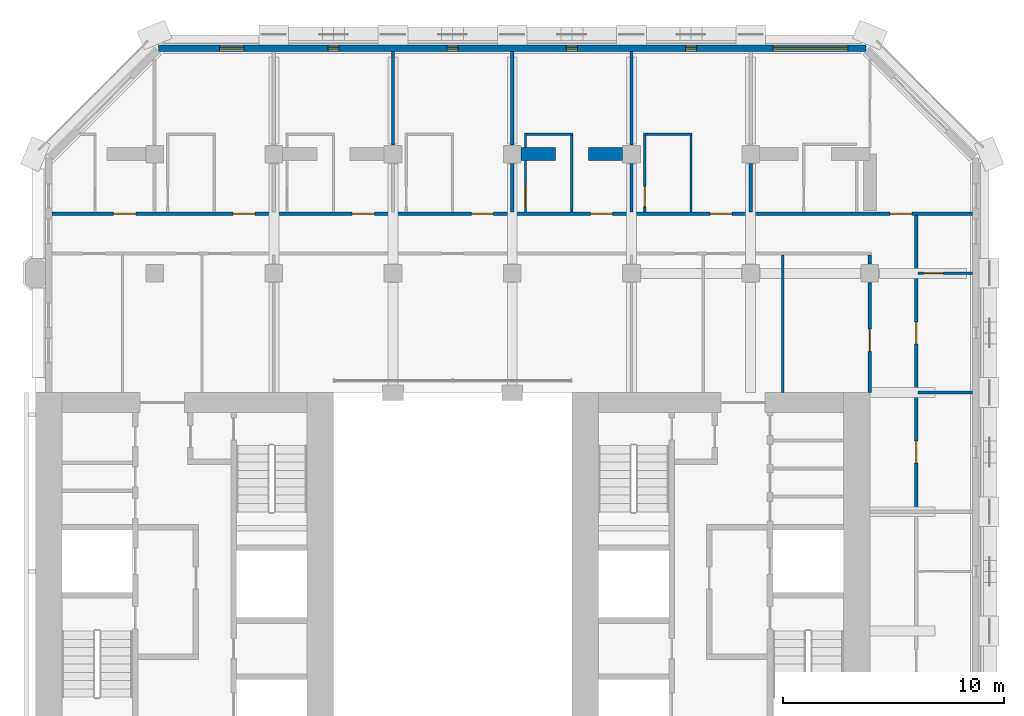
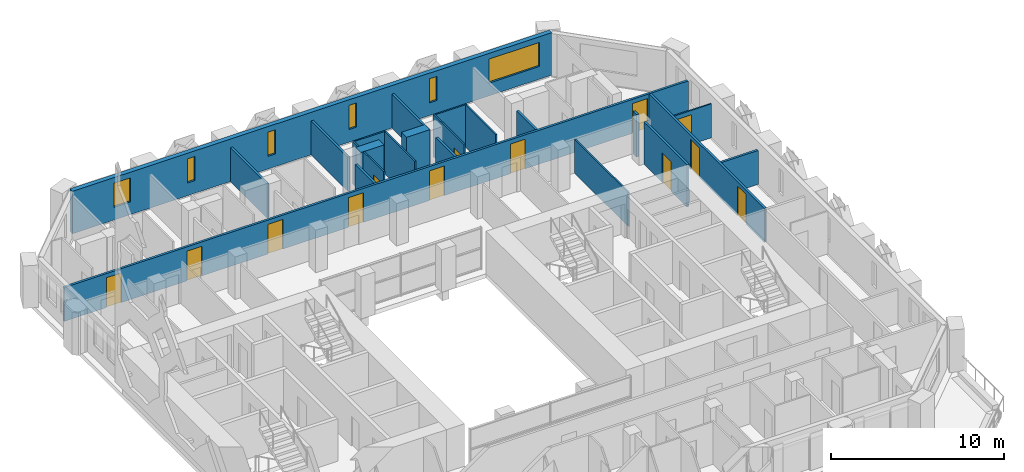
# One storey, part 13 of 17: 23 walls, 13 doors, 6 windows, 19 openings.
"""IFC4 building model written with IfcOpenShell, lengths in metres."""

from ifc_helpers import new_model, si_unit, direction, frame, frame_2d, origin, place, context, subcontext, project, spatial, rectangle, extrude, material, layer, layer_set, type_object, element, fill, save


model = new_model("IFC4")

# Units and contexts
model_context = context("Model", 3, precision=1e-05, world=origin(), true_north=direction((0.0, 1.0)))
body_context = subcontext(model_context, "Body", "Model", "MODEL_VIEW")
ifc_project = project(units=[si_unit("LENGTHUNIT", "METRE"), si_unit("AREAUNIT", "SQUARE_METRE"), si_unit("VOLUMEUNIT", "CUBIC_METRE"), si_unit("PLANEANGLEUNIT", "RADIAN"), si_unit("MASSUNIT", "GRAM", prefix="KILO")], contexts=[model_context])

# Site, building, storey
site_placement = place(None, origin())
site = spatial("IfcSite", under=ifc_project, at=site_placement, CompositionType="ELEMENT")
building_placement = place(site_placement, origin())
building = spatial("IfcBuilding", under=site, at=building_placement, Name="Tabaq Tower and Sports Hall", CompositionType="ELEMENT")
storey_placement = place(building_placement, frame((0.0, 0.0, 180.699951171875)))
storey = spatial("IfcBuildingStorey", under=building, at=storey_placement, Name="L43", CompositionType="ELEMENT", Elevation=180.699951171875)

# Wall, opening, door
ifc_material_1 = material(Name="Gypsum board on steel studs", Category="steel")
ifc_layer_1 = layer(ifc_material_1, 0.10009765625)
ifc_layer_set_1 = layer_set([ifc_layer_1], Name="Partition 100 Gypsum board")
wall_type_1 = type_object("IfcWallType", Name="Partition 100 Gypsum board", PredefinedType="PARTITIONING", material=ifc_layer_set_1)
wall_1_placement = place(storey_placement, frame((47.84912109375, 37.800048828125, 0.0), z_axis=(0.0, 0.0, 1.0), x_axis=(-1.0, 0.0, 0.0)))
wall_1 = element("IfcWall", 1, at=wall_1_placement, inside=storey, type_object=wall_type_1, Name="Partition wall L43", PredefinedType="PARTITIONING", context=body_context, shape_type="SweptSolid", body=[
    extrude(rectangle(XDim=2.47412109375, YDim=0.10009765625, at=frame_2d((1.237060546875, 0.0))), origin(), (0.0, 0.0, 1.0), 2.400146484375),
])
opening_1_placement = place(wall_1_placement, frame((1.323974609375, 0.0, 0.0)))
opening_1 = element("IfcOpeningElement", 2, at=opening_1_placement, cuts=wall_1, Name="Opening L43-001", PredefinedType="OPENING", context=body_context, shape_type="SweptSolid", body=[
    extrude(rectangle(XDim=0.89990234375, YDim=2.10009765625, at=frame_2d((0.449951171875, 1.050048828125))), frame((0.0, 0.050048828125, 0.0), z_axis=(0.0, -1.0, 0.0), x_axis=(1.0, 0.0, 0.0)), (0.0, 0.0, 1.0), 0.10009765625),
])
ifc_material_2 = material(Name="Timber leaf in steel frame", Category="steel")
door_type_1 = type_object("IfcDoorType", Name="Internal door 900 left hand", OperationType="SINGLE_SWING_LEFT", PredefinedType="DOOR", material=ifc_material_2)
door_1_placement = place(opening_1_placement, origin())
door_1 = element("IfcDoor", 3, at=door_1_placement, inside=storey, type_object=door_type_1, Name="Internal door L43-001", OperationType="SINGLE_SWING_LEFT", OverallHeight=2.10009765625, OverallWidth=0.89990234375, PredefinedType="DOOR", context=body_context, shape_type="SweptSolid", body=[
    extrude(rectangle(XDim=0.89990234375, YDim=2.10009765625, at=frame_2d((0.449951171875, 1.050048828125))), frame((0.0, 0.02490234375, 0.0), z_axis=(0.0, -1.0, 0.0), x_axis=(1.0, 0.0, 0.0)), (0.0, 0.0, 1.0), 0.050048828125),
])
fill(opening_1, door_1)

wall_2_placement = place(storey_placement, frame((27.60009765625, 40.574951171875, 0.0), z_axis=(0.0, 0.0, 1.0), x_axis=(0.0, 1.0, 0.0)))
wall_2 = element("IfcWall", 4, at=wall_2_placement, inside=storey, type_object=wall_type_1, Name="Partition wall L43", PredefinedType="PARTITIONING", context=body_context, shape_type="SweptSolid", body=[
    extrude(rectangle(XDim=2.323974609375, YDim=0.10009765625, at=frame_2d((1.162109375, 0.0))), origin(), (0.0, 0.0, 1.0), 3.0),
])
opening_2_placement = place(wall_2_placement, frame((0.25, 0.0, 0.0)))
opening_2 = element("IfcOpeningElement", 5, at=opening_2_placement, cuts=wall_2, Name="Opening L43-006", PredefinedType="OPENING", context=body_context, shape_type="SweptSolid", body=[
    extrude(rectangle(XDim=0.89990234375, YDim=2.10009765625, at=frame_2d((0.449951171875, 1.050048828125))), frame((0.0, 0.050048828125, 0.0), z_axis=(0.0, -1.0, 0.0), x_axis=(1.0, 0.0, 0.0)), (0.0, 0.0, 1.0), 0.10009765625),
])
door_2_placement = place(opening_2_placement, origin())
door_2 = element("IfcDoor", 6, at=door_2_placement, inside=storey, type_object=door_type_1, Name="Internal door L43-006", OperationType="SINGLE_SWING_LEFT", OverallHeight=2.10009765625, OverallWidth=0.89990234375, PredefinedType="DOOR", context=body_context, shape_type="SweptSolid", body=[
    extrude(rectangle(XDim=0.89990234375, YDim=2.10009765625, at=frame_2d((0.449951171875, 1.050048828125))), frame((0.0, 0.02490234375, 0.0), z_axis=(0.0, -1.0, 0.0), x_axis=(1.0, 0.0, 0.0)), (0.0, 0.0, 1.0), 0.050048828125),
])
fill(opening_2, door_2)

# Walls
wall_3_placement = place(storey_placement, frame((27.60009765625, 43.5009765625, 0.0), z_axis=(0.0, 0.0, 1.0), x_axis=(0.0, 1.0, 0.0)))
element("IfcWall", 7, at=wall_3_placement, inside=storey, type_object=wall_type_1, Name="Partition wall L43", PredefinedType="PARTITIONING", context=body_context, shape_type="SweptSolid", body=[
    extrude(rectangle(XDim=0.64892578125, YDim=0.10009765625, at=frame_2d((0.324462890625, 0.0))), origin(), (0.0, 0.0, 1.0), 3.0),
])
wall_4_placement = place(storey_placement, frame((27.64990234375, 44.10009765625, 0.0), z_axis=(0.0, 0.0, 1.0), x_axis=(1.0, 0.0, 0.0)))
element("IfcWall", 8, at=wall_4_placement, inside=storey, type_object=wall_type_1, Name="Partition wall L43", PredefinedType="PARTITIONING", context=body_context, shape_type="SweptSolid", body=[
    extrude(rectangle(XDim=2.10009765625, YDim=0.10009765625, at=frame_2d((1.050048828125, 0.0))), origin(), (0.0, 0.0, 1.0), 3.0),
])
wall_5_placement = place(storey_placement, frame((29.699951171875, 44.050048828125, 0.0), z_axis=(0.0, 0.0, 1.0), x_axis=(0.0, -1.0, 0.0)))
element("IfcWall", 9, at=wall_5_placement, inside=storey, type_object=wall_type_1, Name="Partition wall L43", PredefinedType="PARTITIONING", context=body_context, shape_type="SweptSolid", body=[
    extrude(rectangle(XDim=3.47509765625, YDim=0.10009765625, at=frame_2d((1.737548828125, 0.0))), origin(), (0.0, 0.0, 1.0), 3.0),
])

# Wall, opening, door
wall_6_placement = place(storey_placement, frame((33.0, 40.574951171875, 0.0), z_axis=(0.0, 0.0, 1.0), x_axis=(0.0, 1.0, 0.0)))
wall_6 = element("IfcWall", 10, at=wall_6_placement, inside=storey, type_object=wall_type_1, Name="Partition wall L43", PredefinedType="PARTITIONING", context=body_context, shape_type="SweptSolid", body=[
    extrude(rectangle(XDim=3.574951171875, YDim=0.10009765625, at=frame_2d((1.78759765625, 0.0))), origin(), (0.0, 0.0, 1.0), 3.0),
])
opening_3_placement = place(wall_6_placement, frame((0.25, 0.0, 0.0)))
opening_3 = element("IfcOpeningElement", 11, at=opening_3_placement, cuts=wall_6, Name="Opening L43-007", PredefinedType="OPENING", context=body_context, shape_type="SweptSolid", body=[
    extrude(rectangle(XDim=0.89990234375, YDim=2.10009765625, at=frame_2d((0.449951171875, 1.050048828125))), frame((0.0, 0.050048828125, 0.0), z_axis=(0.0, -1.0, 0.0), x_axis=(1.0, 0.0, 0.0)), (0.0, 0.0, 1.0), 0.10009765625),
])
door_3_placement = place(opening_3_placement, origin())
door_3 = element("IfcDoor", 12, at=door_3_placement, inside=storey, type_object=door_type_1, Name="Internal door L43-007", OperationType="SINGLE_SWING_LEFT", OverallHeight=2.10009765625, OverallWidth=0.89990234375, PredefinedType="DOOR", context=body_context, shape_type="SweptSolid", body=[
    extrude(rectangle(XDim=0.89990234375, YDim=2.10009765625, at=frame_2d((0.449951171875, 1.050048828125))), frame((0.0, 0.02490234375, 0.0), z_axis=(0.0, -1.0, 0.0), x_axis=(1.0, 0.0, 0.0)), (0.0, 0.0, 1.0), 0.050048828125),
])
fill(opening_3, door_3)

# Walls
wall_7_placement = place(storey_placement, frame((33.050048828125, 44.10009765625, 0.0), z_axis=(0.0, 0.0, 1.0), x_axis=(1.0, 0.0, 0.0)))
element("IfcWall", 13, at=wall_7_placement, inside=storey, type_object=wall_type_1, Name="Partition wall L43", PredefinedType="PARTITIONING", context=body_context, shape_type="SweptSolid", body=[
    extrude(rectangle(XDim=2.099853515625, YDim=0.10009765625, at=frame_2d((1.0498046875, 0.0))), origin(), (0.0, 0.0, 1.0), 3.0),
])
wall_8_placement = place(storey_placement, frame((35.10009765625, 44.050048828125, 0.0), z_axis=(0.0, 0.0, 1.0), x_axis=(0.0, -1.0, 0.0)))
element("IfcWall", 14, at=wall_8_placement, inside=storey, type_object=wall_type_1, Name="Partition wall L43", PredefinedType="PARTITIONING", context=body_context, shape_type="SweptSolid", body=[
    extrude(rectangle(XDim=3.47509765625, YDim=0.10009765625, at=frame_2d((1.737548828125, 0.0))), origin(), (0.0, 0.0, 1.0), 3.0),
])
wall_9_placement = place(storey_placement, frame((39.25, 32.39990234375, 0.0), z_axis=(0.0, 0.0, 1.0), x_axis=(0.0, 1.0, 0.0)))
element("IfcWall", 15, at=wall_9_placement, inside=storey, type_object=wall_type_1, Name="Partition wall L43", PredefinedType="PARTITIONING", context=body_context, shape_type="SweptSolid", body=[
    extrude(rectangle(XDim=6.22509765625, YDim=0.10009765625, at=frame_2d((3.112548828125, 0.0))), origin(), (0.0, 0.0, 1.0), 2.400146484375),
])
ifc_material_3 = material(Name="Concrete C50/60", Category="concrete")
ifc_layer_2 = layer(ifc_material_3, 0.60009765625)
ifc_layer_set_2 = layer_set([ifc_layer_2], Name="RC TRANSFER WALL 600 C50/60")
wall_type_2 = type_object("IfcWallType", Name="RC TRANSFER WALL 600 C50/60", PredefinedType="SHEAR", material=ifc_layer_set_2)
for number, where, z_axis, x_axis, name in (
    (16, (27.39990234375, 43.199951171875, 0.0), (0.0, 0.0, 1.0), (1.0, 0.0, 0.0), "Transfer Wall L43 North 8"),
    (17, (30.449951171875, 43.199951171875, 0.0), (0.0, 0.0, 1.0), (1.0, 0.0, 0.0), "Transfer Wall L43 North 9"),
):
    element("IfcWall", number, at=place(storey_placement, frame(where, z_axis=z_axis, x_axis=x_axis)), inside=storey, type_object=wall_type_2, Name=name, PredefinedType="SHEAR", context=body_context, shape_type="SweptSolid", body=[
        extrude(rectangle(XDim=1.550048828125, YDim=0.60009765625, at=frame_2d((0.77490234375, 0.0))), origin(), (0.0, 0.0, 1.0), 3.0),
    ])
ifc_material_4 = material(Name="Blockwork", Category="masonry")
ifc_layer_3 = layer(ifc_material_4, 0.14990234375)
ifc_layer_set_3 = layer_set([ifc_layer_3], Name="Separating wall 150 Blockwork")
wall_type_3 = type_object("IfcWallType", Name="Separating wall 150 Blockwork", PredefinedType="PARTITIONING", material=ifc_layer_set_3)
wall_10_placement = place(storey_placement, frame((45.375, 32.39990234375, 0.0), z_axis=(0.0, 0.0, 1.0), x_axis=(1.0, 0.0, 0.0)))
element("IfcWall", 18, at=wall_10_placement, inside=storey, type_object=wall_type_3, Name="Separating wall L43", PredefinedType="PARTITIONING", context=body_context, shape_type="SweptSolid", body=[
    extrude(rectangle(XDim=2.47412109375, YDim=0.14990234375, at=frame_2d((1.237060546875, 0.0))), origin(), (0.0, 0.0, 1.0), 2.400146484375),
])
wall_11_placement = place(storey_placement, frame((21.60009765625, 43.6201171875, 0.0), z_axis=(0.0, 0.0, 1.0), x_axis=(0.0, 1.0, 0.0)))
element("IfcWall", 19, at=wall_11_placement, inside=storey, type_object=wall_type_3, Name="Separating wall L43", PredefinedType="PARTITIONING", context=body_context, shape_type="SweptSolid", body=[
    extrude(rectangle(XDim=4.22900390625, YDim=0.14990234375, at=frame_2d((2.114501953125, 0.0))), origin(), (0.0, 0.0, 1.0), 2.400146484375),
])
wall_12_placement = place(storey_placement, frame((27.0, 40.574951171875, 0.0), z_axis=(0.0, 0.0, 1.0), x_axis=(0.0, 1.0, 0.0)))
element("IfcWall", 20, at=wall_12_placement, inside=storey, type_object=wall_type_3, Name="Separating wall L43", PredefinedType="PARTITIONING", context=body_context, shape_type="SweptSolid", body=[
    extrude(rectangle(XDim=2.205078125, YDim=0.14990234375, at=frame_2d((1.1025390625, 0.0))), origin(), (0.0, 0.0, 1.0), 2.400146484375),
])
wall_13_placement = place(storey_placement, frame((27.0, 43.6201171875, 0.0), z_axis=(0.0, 0.0, 1.0), x_axis=(0.0, 1.0, 0.0)))
element("IfcWall", 21, at=wall_13_placement, inside=storey, type_object=wall_type_3, Name="Separating wall L43", PredefinedType="PARTITIONING", context=body_context, shape_type="SweptSolid", body=[
    extrude(rectangle(XDim=4.22900390625, YDim=0.14990234375, at=frame_2d((2.114501953125, 0.0))), origin(), (0.0, 0.0, 1.0), 2.400146484375),
])
wall_14_placement = place(storey_placement, frame((32.39990234375, 40.574951171875, 0.0), z_axis=(0.0, 0.0, 1.0), x_axis=(0.0, 1.0, 0.0)))
element("IfcWall", 22, at=wall_14_placement, inside=storey, type_object=wall_type_3, Name="Separating wall L43", PredefinedType="PARTITIONING", context=body_context, shape_type="SweptSolid", body=[
    extrude(rectangle(XDim=2.205078125, YDim=0.14990234375, at=frame_2d((1.1025390625, 0.0))), origin(), (0.0, 0.0, 1.0), 2.400146484375),
])
wall_15_placement = place(storey_placement, frame((32.39990234375, 43.6201171875, 0.0), z_axis=(0.0, 0.0, 1.0), x_axis=(0.0, 1.0, 0.0)))
element("IfcWall", 23, at=wall_15_placement, inside=storey, type_object=wall_type_3, Name="Separating wall L43", PredefinedType="PARTITIONING", context=body_context, shape_type="SweptSolid", body=[
    extrude(rectangle(XDim=4.22900390625, YDim=0.14990234375, at=frame_2d((2.114501953125, 0.0))), origin(), (0.0, 0.0, 1.0), 2.400146484375),
])
wall_16_placement = place(storey_placement, frame((37.800048828125, 40.574951171875, 0.0), z_axis=(0.0, 0.0, 1.0), x_axis=(0.0, 1.0, 0.0)))
element("IfcWall", 24, at=wall_16_placement, inside=storey, type_object=wall_type_3, Name="Separating wall L43", PredefinedType="PARTITIONING", context=body_context, shape_type="SweptSolid", body=[
    extrude(rectangle(XDim=2.205078125, YDim=0.14990234375, at=frame_2d((1.1025390625, 0.0))), origin(), (0.0, 0.0, 1.0), 2.400146484375),
])

# Wall, openings, doors
wall_17_placement = place(storey_placement, frame((47.84912109375, 40.5, 0.0), z_axis=(0.0, 0.0, 1.0), x_axis=(-1.0, 0.0, 0.0)))
wall_17 = element("IfcWall", 25, at=wall_17_placement, inside=storey, type_object=wall_type_3, Name="Separating wall L43", PredefinedType="PARTITIONING", context=body_context, shape_type="SweptSolid", body=[
    extrude(rectangle(XDim=41.6982421875, YDim=0.14990234375, at=frame_2d((20.84912109375, 0.0))), origin(), (0.0, 0.0, 1.0), 2.400146484375),
])
opening_4_placement = place(wall_17_placement, frame((37.89892578125, 0.0, 0.0)))
opening_4 = element("IfcOpeningElement", 26, at=opening_4_placement, cuts=wall_17, Name="Opening L43-031", PredefinedType="OPENING", context=body_context, shape_type="SweptSolid", body=[
    extrude(rectangle(XDim=1.0, YDim=2.10009765625, at=frame_2d((0.5, 1.050048828125))), frame((0.0, 0.074951171875, 0.0), z_axis=(0.0, -1.0, 0.0), x_axis=(1.0, 0.0, 0.0)), (0.0, 0.0, 1.0), 0.14990234375),
])
opening_5_placement = place(wall_17_placement, frame((32.4990234375, 0.0, 0.0)))
opening_5 = element("IfcOpeningElement", 27, at=opening_5_placement, cuts=wall_17, Name="Opening L43-032", PredefinedType="OPENING", context=body_context, shape_type="SweptSolid", body=[
    extrude(rectangle(XDim=1.0, YDim=2.10009765625, at=frame_2d((0.5, 1.050048828125))), frame((0.0, 0.074951171875, 0.0), z_axis=(0.0, -1.0, 0.0), x_axis=(1.0, 0.0, 0.0)), (0.0, 0.0, 1.0), 0.14990234375),
])
opening_6_placement = place(wall_17_placement, frame((27.09912109375, 0.0, 0.0)))
opening_6 = element("IfcOpeningElement", 28, at=opening_6_placement, cuts=wall_17, Name="Opening L43-033", PredefinedType="OPENING", context=body_context, shape_type="SweptSolid", body=[
    extrude(rectangle(XDim=1.0, YDim=2.10009765625, at=frame_2d((0.5, 1.050048828125))), frame((0.0, 0.074951171875, 0.0), z_axis=(0.0, -1.0, 0.0), x_axis=(1.0, 0.0, 0.0)), (0.0, 0.0, 1.0), 0.14990234375),
])
opening_7_placement = place(wall_17_placement, frame((21.698974609375, 0.0, 0.0)))
opening_7 = element("IfcOpeningElement", 29, at=opening_7_placement, cuts=wall_17, Name="Opening L43-034", PredefinedType="OPENING", context=body_context, shape_type="SweptSolid", body=[
    extrude(rectangle(XDim=1.0, YDim=2.10009765625, at=frame_2d((0.5, 1.050048828125))), frame((0.0, 0.074951171875, 0.0), z_axis=(0.0, -1.0, 0.0), x_axis=(1.0, 0.0, 0.0)), (0.0, 0.0, 1.0), 0.14990234375),
])
opening_8_placement = place(wall_17_placement, frame((16.299072265625, 0.0, 0.0)))
opening_8 = element("IfcOpeningElement", 30, at=opening_8_placement, cuts=wall_17, Name="Opening L43-035", PredefinedType="OPENING", context=body_context, shape_type="SweptSolid", body=[
    extrude(rectangle(XDim=1.0, YDim=2.10009765625, at=frame_2d((0.5, 1.050048828125))), frame((0.0, 0.074951171875, 0.0), z_axis=(0.0, -1.0, 0.0), x_axis=(1.0, 0.0, 0.0)), (0.0, 0.0, 1.0), 0.14990234375),
])
opening_9_placement = place(wall_17_placement, frame((10.89892578125, 0.0, 0.0)))
opening_9 = element("IfcOpeningElement", 31, at=opening_9_placement, cuts=wall_17, Name="Opening L43-036", PredefinedType="OPENING", context=body_context, shape_type="SweptSolid", body=[
    extrude(rectangle(XDim=1.0, YDim=2.10009765625, at=frame_2d((0.5, 1.050048828125))), frame((0.0, 0.074951171875, 0.0), z_axis=(0.0, -1.0, 0.0), x_axis=(1.0, 0.0, 0.0)), (0.0, 0.0, 1.0), 0.14990234375),
])
opening_10_placement = place(wall_17_placement, frame((2.743896484375, 0.0, 0.0)))
opening_10 = element("IfcOpeningElement", 32, at=opening_10_placement, cuts=wall_17, Name="Opening L43-038", PredefinedType="OPENING", context=body_context, shape_type="SweptSolid", body=[
    extrude(rectangle(XDim=1.0, YDim=2.10009765625, at=frame_2d((0.5, 1.050048828125))), frame((0.0, 0.074951171875, 0.0), z_axis=(0.0, -1.0, 0.0), x_axis=(1.0, 0.0, 0.0)), (0.0, 0.0, 1.0), 0.14990234375),
])
ifc_material_5 = material(Name="Steel fire door", Category="steel")
door_type_2 = type_object("IfcDoorType", Name="Entrance door 1000 left hand", OperationType="SINGLE_SWING_LEFT", PredefinedType="DOOR", material=ifc_material_5)
door_4_placement = place(opening_4_placement, origin())
door_4 = element("IfcDoor", 33, at=door_4_placement, inside=storey, type_object=door_type_2, Name="Entrance door L43-031", OperationType="SINGLE_SWING_LEFT", OverallHeight=2.10009765625, OverallWidth=1.0, PredefinedType="DOOR", context=body_context, shape_type="SweptSolid", body=[
    extrude(rectangle(XDim=1.0, YDim=2.10009765625, at=frame_2d((0.5, 1.050048828125))), frame((0.0, 0.02490234375, 0.0), z_axis=(0.0, -1.0, 0.0), x_axis=(1.0, 0.0, 0.0)), (0.0, 0.0, 1.0), 0.050048828125),
])
fill(opening_4, door_4)
door_5_placement = place(opening_7_placement, origin())
door_5 = element("IfcDoor", 34, at=door_5_placement, inside=storey, type_object=door_type_2, Name="Entrance door L43-034", OperationType="SINGLE_SWING_LEFT", OverallHeight=2.10009765625, OverallWidth=1.0, PredefinedType="DOOR", context=body_context, shape_type="SweptSolid", body=[
    extrude(rectangle(XDim=1.0, YDim=2.10009765625, at=frame_2d((0.5, 1.050048828125))), frame((0.0, 0.02490234375, 0.0), z_axis=(0.0, -1.0, 0.0), x_axis=(1.0, 0.0, 0.0)), (0.0, 0.0, 1.0), 0.050048828125),
])
fill(opening_7, door_5)
door_6_placement = place(opening_8_placement, origin())
door_6 = element("IfcDoor", 35, at=door_6_placement, inside=storey, type_object=door_type_2, Name="Entrance door L43-035", OperationType="SINGLE_SWING_LEFT", OverallHeight=2.10009765625, OverallWidth=1.0, PredefinedType="DOOR", context=body_context, shape_type="SweptSolid", body=[
    extrude(rectangle(XDim=1.0, YDim=2.10009765625, at=frame_2d((0.5, 1.050048828125))), frame((0.0, 0.02490234375, 0.0), z_axis=(0.0, -1.0, 0.0), x_axis=(1.0, 0.0, 0.0)), (0.0, 0.0, 1.0), 0.050048828125),
])
fill(opening_8, door_6)
door_7_placement = place(opening_10_placement, origin())
door_7 = element("IfcDoor", 36, at=door_7_placement, inside=storey, type_object=door_type_2, Name="Entrance door L43-038", OperationType="SINGLE_SWING_LEFT", OverallHeight=2.10009765625, OverallWidth=1.0, PredefinedType="DOOR", context=body_context, shape_type="SweptSolid", body=[
    extrude(rectangle(XDim=1.0, YDim=2.10009765625, at=frame_2d((0.5, 1.050048828125))), frame((0.0, 0.02490234375, 0.0), z_axis=(0.0, -1.0, 0.0), x_axis=(1.0, 0.0, 0.0)), (0.0, 0.0, 1.0), 0.050048828125),
])
fill(opening_10, door_7)
ifc_material_6 = material(Name="Steel fire door", Category="steel")
door_type_3 = type_object("IfcDoorType", Name="Entrance door 1000 right hand", OperationType="SINGLE_SWING_RIGHT", PredefinedType="DOOR", material=ifc_material_6)
door_8_placement = place(opening_5_placement, origin())
door_8 = element("IfcDoor", 37, at=door_8_placement, inside=storey, type_object=door_type_3, Name="Entrance door L43-032", OperationType="SINGLE_SWING_RIGHT", OverallHeight=2.10009765625, OverallWidth=1.0, PredefinedType="DOOR", context=body_context, shape_type="SweptSolid", body=[
    extrude(rectangle(XDim=1.0, YDim=2.10009765625, at=frame_2d((0.5, 1.050048828125))), frame((0.0, 0.02490234375, 0.0), z_axis=(0.0, -1.0, 0.0), x_axis=(1.0, 0.0, 0.0)), (0.0, 0.0, 1.0), 0.050048828125),
])
fill(opening_5, door_8)
door_9_placement = place(opening_6_placement, origin())
door_9 = element("IfcDoor", 38, at=door_9_placement, inside=storey, type_object=door_type_3, Name="Entrance door L43-033", OperationType="SINGLE_SWING_RIGHT", OverallHeight=2.10009765625, OverallWidth=1.0, PredefinedType="DOOR", context=body_context, shape_type="SweptSolid", body=[
    extrude(rectangle(XDim=1.0, YDim=2.10009765625, at=frame_2d((0.5, 1.050048828125))), frame((0.0, 0.02490234375, 0.0), z_axis=(0.0, -1.0, 0.0), x_axis=(1.0, 0.0, 0.0)), (0.0, 0.0, 1.0), 0.050048828125),
])
fill(opening_6, door_9)
door_10_placement = place(opening_9_placement, origin())
door_10 = element("IfcDoor", 39, at=door_10_placement, inside=storey, type_object=door_type_3, Name="Entrance door L43-036", OperationType="SINGLE_SWING_RIGHT", OverallHeight=2.10009765625, OverallWidth=1.0, PredefinedType="DOOR", context=body_context, shape_type="SweptSolid", body=[
    extrude(rectangle(XDim=1.0, YDim=2.10009765625, at=frame_2d((0.5, 1.050048828125))), frame((0.0, 0.02490234375, 0.0), z_axis=(0.0, -1.0, 0.0), x_axis=(1.0, 0.0, 0.0)), (0.0, 0.0, 1.0), 0.050048828125),
])
fill(opening_9, door_10)

wall_18_placement = place(storey_placement, frame((45.300048828125, 40.425048828125, 0.0), z_axis=(0.0, 0.0, 1.0), x_axis=(0.0, -1.0, 0.0)))
wall_18 = element("IfcWall", 40, at=wall_18_placement, inside=storey, type_object=wall_type_3, Name="Separating wall L43", PredefinedType="PARTITIONING", context=body_context, shape_type="SweptSolid", body=[
    extrude(rectangle(XDim=13.35009765625, YDim=0.14990234375, at=frame_2d((6.675048828125, 0.0))), origin(), (0.0, 0.0, 1.0), 2.400146484375),
])
opening_11_placement = place(wall_18_placement, frame((10.22509765625, 0.0, 0.0)))
opening_11 = element("IfcOpeningElement", 41, at=opening_11_placement, cuts=wall_18, Name="Opening L43-010", PredefinedType="OPENING", context=body_context, shape_type="SweptSolid", body=[
    extrude(rectangle(XDim=1.0, YDim=2.10009765625, at=frame_2d((0.5, 1.050048828125))), frame((0.0, 0.074951171875, 0.0), z_axis=(0.0, -1.0, 0.0), x_axis=(1.0, 0.0, 0.0)), (0.0, 0.0, 1.0), 0.14990234375),
])
opening_12_placement = place(wall_18_placement, frame((4.824951171875, 0.0, 0.0)))
opening_12 = element("IfcOpeningElement", 42, at=opening_12_placement, cuts=wall_18, Name="Opening L43-030", PredefinedType="OPENING", context=body_context, shape_type="SweptSolid", body=[
    extrude(rectangle(XDim=1.0, YDim=2.10009765625, at=frame_2d((0.5, 1.050048828125))), frame((0.0, 0.074951171875, 0.0), z_axis=(0.0, -1.0, 0.0), x_axis=(1.0, 0.0, 0.0)), (0.0, 0.0, 1.0), 0.14990234375),
])
door_11_placement = place(opening_12_placement, origin())
door_11 = element("IfcDoor", 43, at=door_11_placement, inside=storey, type_object=door_type_2, Name="Entrance door L43-030", OperationType="SINGLE_SWING_LEFT", OverallHeight=2.10009765625, OverallWidth=1.0, PredefinedType="DOOR", context=body_context, shape_type="SweptSolid", body=[
    extrude(rectangle(XDim=1.0, YDim=2.10009765625, at=frame_2d((0.5, 1.050048828125))), frame((0.0, 0.02490234375, 0.0), z_axis=(0.0, -1.0, 0.0), x_axis=(1.0, 0.0, 0.0)), (0.0, 0.0, 1.0), 0.050048828125),
])
fill(opening_12, door_11)
ifc_material_7 = material(Name="Timber leaf in steel frame", Category="steel")
door_type_4 = type_object("IfcDoorType", Name="Internal door 1000 right hand", OperationType="SINGLE_SWING_RIGHT", PredefinedType="DOOR", material=ifc_material_7)
door_12_placement = place(opening_11_placement, origin())
door_12 = element("IfcDoor", 44, at=door_12_placement, inside=storey, type_object=door_type_4, Name="Internal door L43-010", OperationType="SINGLE_SWING_RIGHT", OverallHeight=2.10009765625, OverallWidth=1.0, PredefinedType="DOOR", context=body_context, shape_type="SweptSolid", body=[
    extrude(rectangle(XDim=1.0, YDim=2.10009765625, at=frame_2d((0.5, 1.050048828125))), frame((0.0, 0.02490234375, 0.0), z_axis=(0.0, -1.0, 0.0), x_axis=(1.0, 0.0, 0.0)), (0.0, 0.0, 1.0), 0.050048828125),
])
fill(opening_11, door_12)

# Wall
wall_19_placement = place(storey_placement, frame((43.199951171875, 38.625, 0.0), z_axis=(0.0, 0.0, 1.0), x_axis=(0.0, -1.0, 0.0)))
element("IfcWall", 45, at=wall_19_placement, inside=storey, type_object=wall_type_3, Name="Separating wall L43", PredefinedType="PARTITIONING", context=body_context, shape_type="SweptSolid", body=[
    extrude(rectangle(XDim=0.405029296875, YDim=0.14990234375, at=frame_2d((0.20263671875, 0.0))), origin(), (0.0, 0.0, 1.0), 3.0),
])

# Wall, opening, door
wall_20_placement = place(storey_placement, frame((43.199951171875, 37.3798828125, 0.0), z_axis=(0.0, 0.0, 1.0), x_axis=(0.0, -1.0, 0.0)))
wall_20 = element("IfcWall", 46, at=wall_20_placement, inside=storey, type_object=wall_type_3, Name="Separating wall L43", PredefinedType="PARTITIONING", context=body_context, shape_type="SweptSolid", body=[
    extrude(rectangle(XDim=4.97998046875, YDim=0.14990234375, at=frame_2d((2.489990234375, 0.0))), origin(), (0.0, 0.0, 1.0), 3.0),
])
opening_13_placement = place(wall_20_placement, frame((2.113037109375, 0.0, 0.0)))
opening_13 = element("IfcOpeningElement", 47, at=opening_13_placement, cuts=wall_20, Name="Opening L43-013", PredefinedType="OPENING", context=body_context, shape_type="SweptSolid", body=[
    extrude(rectangle(XDim=1.0, YDim=2.10009765625, at=frame_2d((0.5, 1.050048828125))), frame((0.0, 0.074951171875, 0.0), z_axis=(0.0, -1.0, 0.0), x_axis=(1.0, 0.0, 0.0)), (0.0, 0.0, 1.0), 0.14990234375),
])
door_13_placement = place(opening_13_placement, origin())
door_13 = element("IfcDoor", 48, at=door_13_placement, inside=storey, type_object=door_type_4, Name="Internal door L43-013", OperationType="SINGLE_SWING_RIGHT", OverallHeight=2.10009765625, OverallWidth=1.0, PredefinedType="DOOR", context=body_context, shape_type="SweptSolid", body=[
    extrude(rectangle(XDim=1.0, YDim=2.10009765625, at=frame_2d((0.5, 1.050048828125))), frame((0.0, 0.02490234375, 0.0), z_axis=(0.0, -1.0, 0.0), x_axis=(1.0, 0.0, 0.0)), (0.0, 0.0, 1.0), 0.050048828125),
])
fill(opening_13, door_13)

# Wall, openings, windows
ifc_material_8 = material(Name="White precast concrete C60/75", Category="concrete")
ifc_layer_4 = layer(ifc_material_8, 0.300048828125)
ifc_layer_set_4 = layer_set([ifc_layer_4], Name="White precast concrete C60/75 external wall 300")
wall_type_4 = type_object("IfcWallType", Name="White precast concrete C60/75 external wall 300", PredefinedType="SOLIDWALL", material=ifc_layer_set_4)
wall_21_placement = place(storey_placement, frame((43.013671875, 48.0, 0.0), z_axis=(0.0, 0.0, 1.0), x_axis=(-1.0, 0.0, 0.0)))
wall_21 = element("IfcWall", 49, at=wall_21_placement, inside=storey, type_object=wall_type_4, Name="External Wall L43 N", PredefinedType="SOLIDWALL", context=body_context, shape_type="SweptSolid", body=[
    extrude(rectangle(XDim=32.02734375, YDim=0.300048828125, at=frame_2d((16.013671875, 0.0))), origin(), (0.0, 0.0, 1.0), 3.0),
])
opening_14_placement = place(wall_21_placement, frame((0.813720703125, 0.0, 0.89990234375)))
opening_14 = element("IfcOpeningElement", 50, at=opening_14_placement, cuts=wall_21, Name="Opening W1A", PredefinedType="OPENING", context=body_context, shape_type="SweptSolid", body=[
    extrude(rectangle(XDim=3.39990234375, YDim=1.699951171875, at=frame_2d((1.699951171875, 0.85009765625))), frame((0.0, 0.16015625, 0.0), z_axis=(0.0, -1.0, 0.0), x_axis=(1.0, 0.0, 0.0)), (0.0, 0.0, 1.0), 0.320068359375),
])
opening_15_placement = place(wall_21_placement, frame((7.66357421875, 0.0, 0.89990234375)))
opening_15 = element("IfcOpeningElement", 51, at=opening_15_placement, cuts=wall_21, Name="Opening W1E", PredefinedType="OPENING", context=body_context, shape_type="SweptSolid", body=[
    extrude(rectangle(XDim=0.5, YDim=1.699951171875, at=frame_2d((0.25, 0.85009765625))), frame((0.0, 0.16015625, 0.0), z_axis=(0.0, -1.0, 0.0), x_axis=(1.0, 0.0, 0.0)), (0.0, 0.0, 1.0), 0.320068359375),
])
opening_16_placement = place(wall_21_placement, frame((13.063720703125, 0.0, 0.89990234375)))
opening_16 = element("IfcOpeningElement", 52, at=opening_16_placement, cuts=wall_21, Name="Opening W1E", PredefinedType="OPENING", context=body_context, shape_type="SweptSolid", body=[
    extrude(rectangle(XDim=0.5, YDim=1.699951171875, at=frame_2d((0.25, 0.85009765625))), frame((0.0, 0.16015625, 0.0), z_axis=(0.0, -1.0, 0.0), x_axis=(1.0, 0.0, 0.0)), (0.0, 0.0, 1.0), 0.320068359375),
])
opening_17_placement = place(wall_21_placement, frame((18.463623046875, 0.0, 0.89990234375)))
opening_17 = element("IfcOpeningElement", 53, at=opening_17_placement, cuts=wall_21, Name="Opening W1E", PredefinedType="OPENING", context=body_context, shape_type="SweptSolid", body=[
    extrude(rectangle(XDim=0.5, YDim=1.699951171875, at=frame_2d((0.25, 0.85009765625))), frame((0.0, 0.16015625, 0.0), z_axis=(0.0, -1.0, 0.0), x_axis=(1.0, 0.0, 0.0)), (0.0, 0.0, 1.0), 0.320068359375),
])
opening_18_placement = place(wall_21_placement, frame((23.863525390625, 0.0, 0.89990234375)))
opening_18 = element("IfcOpeningElement", 54, at=opening_18_placement, cuts=wall_21, Name="Opening W1E", PredefinedType="OPENING", context=body_context, shape_type="SweptSolid", body=[
    extrude(rectangle(XDim=0.5, YDim=1.699951171875, at=frame_2d((0.25, 0.85009765625))), frame((0.0, 0.16015625, 0.0), z_axis=(0.0, -1.0, 0.0), x_axis=(1.0, 0.0, 0.0)), (0.0, 0.0, 1.0), 0.320068359375),
])
opening_19_placement = place(wall_21_placement, frame((28.16357421875, 0.0, 0.89990234375)))
opening_19 = element("IfcOpeningElement", 55, at=opening_19_placement, cuts=wall_21, Name="Opening W1B", PredefinedType="OPENING", context=body_context, shape_type="SweptSolid", body=[
    extrude(rectangle(XDim=1.10009765625, YDim=1.699951171875, at=frame_2d((0.550048828125, 0.85009765625))), frame((0.0, 0.16015625, 0.0), z_axis=(0.0, -1.0, 0.0), x_axis=(1.0, 0.0, 0.0)), (0.0, 0.0, 1.0), 0.320068359375),
])
ifc_material_9 = material(Name="Aluminium framed clear glazing", Category="aluminium")
window_type_1 = type_object("IfcWindowType", Name="Window W1A", PartitioningType="SINGLE_PANEL", PredefinedType="WINDOW", material=ifc_material_9)
window_1_placement = place(opening_14_placement, origin())
window_1 = element("IfcWindow", 56, at=window_1_placement, inside=storey, type_object=window_type_1, Name="Window W1A L43", OverallHeight=1.699951171875, OverallWidth=3.39990234375, PartitioningType="SINGLE_PANEL", PredefinedType="WINDOW", context=body_context, shape_type="SweptSolid", body=[
    extrude(rectangle(XDim=3.39990234375, YDim=1.699951171875, at=frame_2d((1.699951171875, 0.85009765625))), frame((0.0, 0.030029296875, 0.0), z_axis=(0.0, -1.0, 0.0), x_axis=(1.0, 0.0, 0.0)), (0.0, 0.0, 1.0), 0.06005859375),
])
fill(opening_14, window_1)
ifc_material_10 = material(Name="Aluminium framed clear glazing", Category="aluminium")
window_type_2 = type_object("IfcWindowType", Name="Window W1B", PartitioningType="SINGLE_PANEL", PredefinedType="WINDOW", material=ifc_material_10)
window_2_placement = place(opening_19_placement, origin())
window_2 = element("IfcWindow", 57, at=window_2_placement, inside=storey, type_object=window_type_2, Name="Window W1B L43", OverallHeight=1.699951171875, OverallWidth=1.10009765625, PartitioningType="SINGLE_PANEL", PredefinedType="WINDOW", context=body_context, shape_type="SweptSolid", body=[
    extrude(rectangle(XDim=1.10009765625, YDim=1.699951171875, at=frame_2d((0.550048828125, 0.85009765625))), frame((0.0, 0.030029296875, 0.0), z_axis=(0.0, -1.0, 0.0), x_axis=(1.0, 0.0, 0.0)), (0.0, 0.0, 1.0), 0.06005859375),
])
fill(opening_19, window_2)
ifc_material_11 = material(Name="Aluminium framed clear glazing", Category="aluminium")
window_type_3 = type_object("IfcWindowType", Name="Window W1E", PartitioningType="SINGLE_PANEL", PredefinedType="WINDOW", material=ifc_material_11)
window_3_placement = place(opening_15_placement, origin())
window_3 = element("IfcWindow", 58, at=window_3_placement, inside=storey, type_object=window_type_3, Name="Window W1E L43", OverallHeight=1.699951171875, OverallWidth=0.5, PartitioningType="SINGLE_PANEL", PredefinedType="WINDOW", context=body_context, shape_type="SweptSolid", body=[
    extrude(rectangle(XDim=0.5, YDim=1.699951171875, at=frame_2d((0.25, 0.85009765625))), frame((0.0, 0.030029296875, 0.0), z_axis=(0.0, -1.0, 0.0), x_axis=(1.0, 0.0, 0.0)), (0.0, 0.0, 1.0), 0.06005859375),
])
fill(opening_15, window_3)
window_4_placement = place(opening_16_placement, origin())
window_4 = element("IfcWindow", 59, at=window_4_placement, inside=storey, type_object=window_type_3, Name="Window W1E L43", OverallHeight=1.699951171875, OverallWidth=0.5, PartitioningType="SINGLE_PANEL", PredefinedType="WINDOW", context=body_context, shape_type="SweptSolid", body=[
    extrude(rectangle(XDim=0.5, YDim=1.699951171875, at=frame_2d((0.25, 0.85009765625))), frame((0.0, 0.030029296875, 0.0), z_axis=(0.0, -1.0, 0.0), x_axis=(1.0, 0.0, 0.0)), (0.0, 0.0, 1.0), 0.06005859375),
])
fill(opening_16, window_4)
window_5_placement = place(opening_17_placement, origin())
window_5 = element("IfcWindow", 60, at=window_5_placement, inside=storey, type_object=window_type_3, Name="Window W1E L43", OverallHeight=1.699951171875, OverallWidth=0.5, PartitioningType="SINGLE_PANEL", PredefinedType="WINDOW", context=body_context, shape_type="SweptSolid", body=[
    extrude(rectangle(XDim=0.5, YDim=1.699951171875, at=frame_2d((0.25, 0.85009765625))), frame((0.0, 0.030029296875, 0.0), z_axis=(0.0, -1.0, 0.0), x_axis=(1.0, 0.0, 0.0)), (0.0, 0.0, 1.0), 0.06005859375),
])
fill(opening_17, window_5)
window_6_placement = place(opening_18_placement, origin())
window_6 = element("IfcWindow", 61, at=window_6_placement, inside=storey, type_object=window_type_3, Name="Window W1E L43", OverallHeight=1.699951171875, OverallWidth=0.5, PartitioningType="SINGLE_PANEL", PredefinedType="WINDOW", context=body_context, shape_type="SweptSolid", body=[
    extrude(rectangle(XDim=0.5, YDim=1.699951171875, at=frame_2d((0.25, 0.85009765625))), frame((0.0, 0.030029296875, 0.0), z_axis=(0.0, -1.0, 0.0), x_axis=(1.0, 0.0, 0.0)), (0.0, 0.0, 1.0), 0.06005859375),
])
fill(opening_18, window_6)

save(model, "model.ifc")
